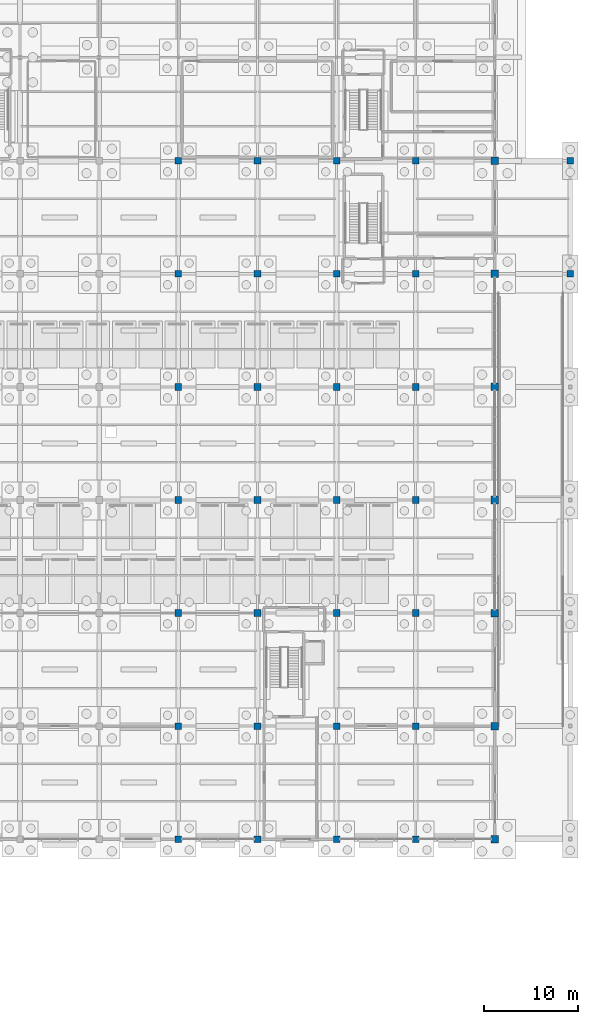
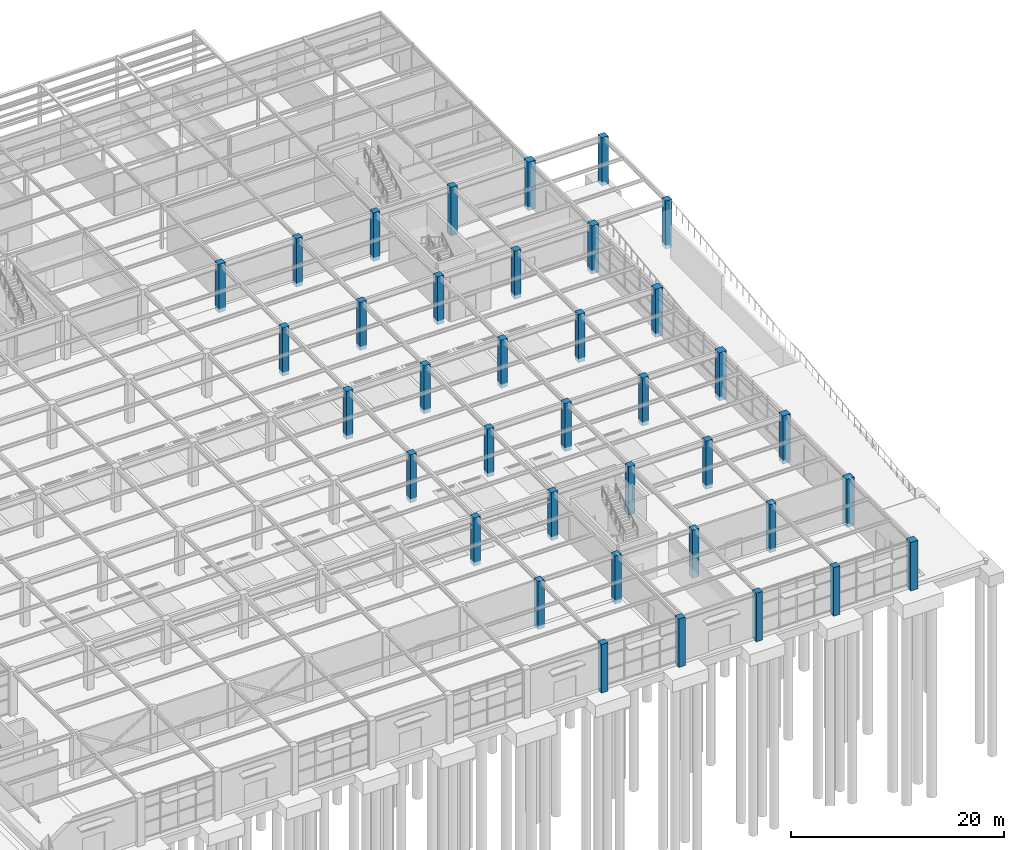
# One storey, part 27 of 129: 37 columns.
"""IFC4 building model written with IfcOpenShell, lengths in metres."""

from ifc_helpers import new_model, si_unit, direction, frame, origin, origin_2d, place, context, subcontext, project, spatial, rectangle, extrude, material, material_profile, profile_set, type_object, element, save


model = new_model("IFC4")

# Units and contexts
model_context = context("Model", 3, precision=1e-05, world=origin(), true_north=direction((0.0, 1.0)))
body_context = subcontext(model_context, "Body", "Model", "MODEL_VIEW")
ifc_project = project(units=[si_unit("LENGTHUNIT", "METRE"), si_unit("AREAUNIT", "SQUARE_METRE"), si_unit("VOLUMEUNIT", "CUBIC_METRE"), si_unit("PLANEANGLEUNIT", "RADIAN"), si_unit("MASSUNIT", "GRAM", prefix="KILO")], contexts=[model_context])

# Site, building, storey
site_placement = place(None, origin())
site = spatial("IfcSite", under=ifc_project, at=site_placement, CompositionType="ELEMENT")
building_placement = place(site_placement, origin())
building = spatial("IfcBuilding", under=site, at=building_placement, Name="Sitalva Quay Ferry Terminal", CompositionType="ELEMENT")
storey_placement = place(building_placement, origin())
storey = spatial("IfcBuildingStorey", under=building, at=storey_placement, Name="L01", CompositionType="ELEMENT", Elevation=0.0)

# Columns
ifc_material_1 = material(Name="Concrete C35/45", Category="concrete")
ifc_material_profile_1 = material_profile(ifc_material_1, rectangle(XDim=0.699951171875, YDim=0.699951171875, at=origin_2d()), Name="RC700x700")
ifc_profile_set_1 = profile_set([ifc_material_profile_1], Name="Concrete C35/45")
column_type_1 = type_object("IfcColumnType", Name="Col_RC700x700", PredefinedType="COLUMN", material=ifc_profile_set_1)
for number, where, z_axis, x_axis, name in (
    (1, (134.39990234375, 6.0, -0.449951171875), (0.0, 0.0, 1.0), (1.0, 0.0, 0.0), "L01 column 17C"),
    (2, (142.800048828125, 6.0, -0.449951171875), (0.0, 0.0, 1.0), (1.0, 0.0, 0.0), "L01 column 18C"),
    (3, (151.199951171875, 6.0, -0.449951171875), (0.0, 0.0, 1.0), (1.0, 0.0, 0.0), "L01 column 19C"),
    (4, (159.60009765625, 6.0, -0.449951171875), (0.0, 0.0, 1.0), (1.0, 0.0, 0.0), "L01 column 20C"),
):
    element("IfcColumn", number, at=place(storey_placement, frame(where, z_axis=z_axis, x_axis=x_axis)), inside=storey, type_object=column_type_1, Name=name, PredefinedType="COLUMN", context=body_context, shape_type="SweptSolid", body=[
        extrude(rectangle(XDim=0.699951171875, YDim=0.699951171875, at=origin_2d()), origin(), (0.0, 0.0, 1.0), 5.570068359375),
    ])
for number, where, z_axis, x_axis, name in (
    (5, (134.39990234375, 18.0, -0.449951171875), (0.0, 0.0, 1.0), (1.0, 0.0, 0.0), "L01 column 17D"),
    (6, (142.800048828125, 18.0, -0.449951171875), (0.0, 0.0, 1.0), (1.0, 0.0, 0.0), "L01 column 18D"),
    (7, (151.199951171875, 18.0, -0.449951171875), (0.0, 0.0, 1.0), (1.0, 0.0, 0.0), "L01 column 19D"),
    (8, (159.60009765625, 18.0, -0.449951171875), (0.0, 0.0, 1.0), (1.0, 0.0, 0.0), "L01 column 20D"),
    (9, (134.39990234375, 30.0, -0.449951171875), (0.0, 0.0, 1.0), (1.0, 0.0, 0.0), "L01 column 17E"),
    (10, (142.800048828125, 30.0, -0.449951171875), (0.0, 0.0, 1.0), (1.0, 0.0, 0.0), "L01 column 18E"),
    (11, (151.199951171875, 30.0, -0.449951171875), (0.0, 0.0, 1.0), (1.0, 0.0, 0.0), "L01 column 19E"),
    (12, (159.60009765625, 30.0, -0.449951171875), (0.0, 0.0, 1.0), (1.0, 0.0, 0.0), "L01 column 20E"),
    (13, (134.39990234375, 42.0, -0.449951171875), (0.0, 0.0, 1.0), (1.0, 0.0, 0.0), "L01 column 17F"),
    (14, (142.800048828125, 42.0, -0.449951171875), (0.0, 0.0, 1.0), (1.0, 0.0, 0.0), "L01 column 18F"),
    (15, (151.199951171875, 42.0, -0.449951171875), (0.0, 0.0, 1.0), (1.0, 0.0, 0.0), "L01 column 19F"),
    (16, (159.60009765625, 42.0, -0.449951171875), (0.0, 0.0, 1.0), (1.0, 0.0, 0.0), "L01 column 20F"),
    (17, (134.39990234375, 54.0, -0.449951171875), (0.0, 0.0, 1.0), (1.0, 0.0, 0.0), "L01 column 17G"),
    (18, (142.800048828125, 54.0, -0.449951171875), (0.0, 0.0, 1.0), (1.0, 0.0, 0.0), "L01 column 18G"),
    (19, (151.199951171875, 54.0, -0.449951171875), (0.0, 0.0, 1.0), (1.0, 0.0, 0.0), "L01 column 19G"),
    (20, (159.60009765625, 54.0, -0.449951171875), (0.0, 0.0, 1.0), (1.0, 0.0, 0.0), "L01 column 20G"),
    (21, (134.39990234375, 66.0, -0.449951171875), (0.0, 0.0, 1.0), (1.0, 0.0, 0.0), "L01 column 17H"),
    (22, (142.800048828125, 66.0, -0.449951171875), (0.0, 0.0, 1.0), (1.0, 0.0, 0.0), "L01 column 18H"),
    (23, (151.199951171875, 66.0, -0.449951171875), (0.0, 0.0, 1.0), (1.0, 0.0, 0.0), "L01 column 19H"),
    (24, (159.60009765625, 66.0, -0.449951171875), (0.0, 0.0, 1.0), (1.0, 0.0, 0.0), "L01 column 20H"),
    (25, (176.0, 66.0, -0.449951171875), (0.0, 0.0, 1.0), (1.0, 0.0, 0.0), "L01 column 22H"),
):
    element("IfcColumn", number, at=place(storey_placement, frame(where, z_axis=z_axis, x_axis=x_axis)), inside=storey, type_object=column_type_1, Name=name, PredefinedType="COLUMN", context=body_context, shape_type="SweptSolid", body=[
        extrude(rectangle(XDim=0.699951171875, YDim=0.699951171875, at=origin_2d()), origin(), (0.0, 0.0, 1.0), 5.530029296875),
    ])
for number, where, z_axis, x_axis, name in (
    (26, (134.39990234375, 78.0, -0.449951171875), (0.0, 0.0, 1.0), (1.0, 0.0, 0.0), "L01 column 17J"),
    (27, (142.800048828125, 78.0, -0.449951171875), (0.0, 0.0, 1.0), (1.0, 0.0, 0.0), "L01 column 18J"),
    (28, (151.199951171875, 78.0, -0.449951171875), (0.0, 0.0, 1.0), (1.0, 0.0, 0.0), "L01 column 19J"),
    (29, (159.60009765625, 78.0, -0.449951171875), (0.0, 0.0, 1.0), (1.0, 0.0, 0.0), "L01 column 20J"),
):
    element("IfcColumn", number, at=place(storey_placement, frame(where, z_axis=z_axis, x_axis=x_axis)), inside=storey, type_object=column_type_1, Name=name, PredefinedType="COLUMN", context=body_context, shape_type="SweptSolid", body=[
        extrude(rectangle(XDim=0.699951171875, YDim=0.699951171875, at=origin_2d()), origin(), (0.0, 0.0, 1.0), 5.570068359375),
    ])
column_1_placement = place(storey_placement, frame((176.0, 78.0, -0.449951171875), z_axis=(0.0, 0.0, 1.0), x_axis=(1.0, 0.0, 0.0)))
element("IfcColumn", 30, at=column_1_placement, inside=storey, type_object=column_type_1, Name="L01 column 22J", PredefinedType="COLUMN", context=body_context, shape_type="SweptSolid", body=[
    extrude(rectangle(XDim=0.699951171875, YDim=0.699951171875, at=origin_2d()), origin(), (0.0, 0.0, 1.0), 5.530029296875),
])
ifc_material_2 = material(Name="Concrete C40/50", Category="concrete")
ifc_material_profile_2 = material_profile(ifc_material_2, rectangle(XDim=0.800048828125, YDim=0.800048828125, at=origin_2d()), Name="RC800x800")
ifc_profile_set_2 = profile_set([ifc_material_profile_2], Name="Concrete C40/50")
column_type_2 = type_object("IfcColumnType", Name="Col_RC800x800", PredefinedType="COLUMN", material=ifc_profile_set_2)
column_2_placement = place(storey_placement, frame((168.0, 6.0, -0.449951171875), z_axis=(0.0, 0.0, 1.0), x_axis=(1.0, 0.0, 0.0)))
element("IfcColumn", 31, at=column_2_placement, inside=storey, type_object=column_type_2, Name="L01 column 21C", PredefinedType="COLUMN", context=body_context, shape_type="SweptSolid", body=[
    extrude(rectangle(XDim=0.800048828125, YDim=0.800048828125, at=origin_2d()), origin(), (0.0, 0.0, 1.0), 5.570068359375),
])
for number, where, z_axis, x_axis, name in (
    (32, (168.0, 18.0, -0.449951171875), (0.0, 0.0, 1.0), (1.0, 0.0, 0.0), "L01 column 21D"),
    (33, (168.0, 30.0, -0.449951171875), (0.0, 0.0, 1.0), (1.0, 0.0, 0.0), "L01 column 21E"),
    (34, (168.0, 42.0, -0.449951171875), (0.0, 0.0, 1.0), (1.0, 0.0, 0.0), "L01 column 21F"),
    (35, (168.0, 54.0, -0.449951171875), (0.0, 0.0, 1.0), (1.0, 0.0, 0.0), "L01 column 21G"),
    (36, (168.0, 66.0, -0.449951171875), (0.0, 0.0, 1.0), (1.0, 0.0, 0.0), "L01 column 21H"),
):
    element("IfcColumn", number, at=place(storey_placement, frame(where, z_axis=z_axis, x_axis=x_axis)), inside=storey, type_object=column_type_2, Name=name, PredefinedType="COLUMN", context=body_context, shape_type="SweptSolid", body=[
        extrude(rectangle(XDim=0.800048828125, YDim=0.800048828125, at=origin_2d()), origin(), (0.0, 0.0, 1.0), 5.530029296875),
    ])
column_3_placement = place(storey_placement, frame((168.0, 78.0, -0.449951171875), z_axis=(0.0, 0.0, 1.0), x_axis=(1.0, 0.0, 0.0)))
element("IfcColumn", 37, at=column_3_placement, inside=storey, type_object=column_type_2, Name="L01 column 21J", PredefinedType="COLUMN", context=body_context, shape_type="SweptSolid", body=[
    extrude(rectangle(XDim=0.800048828125, YDim=0.800048828125, at=origin_2d()), origin(), (0.0, 0.0, 1.0), 5.570068359375),
])

save(model, "model.ifc")
